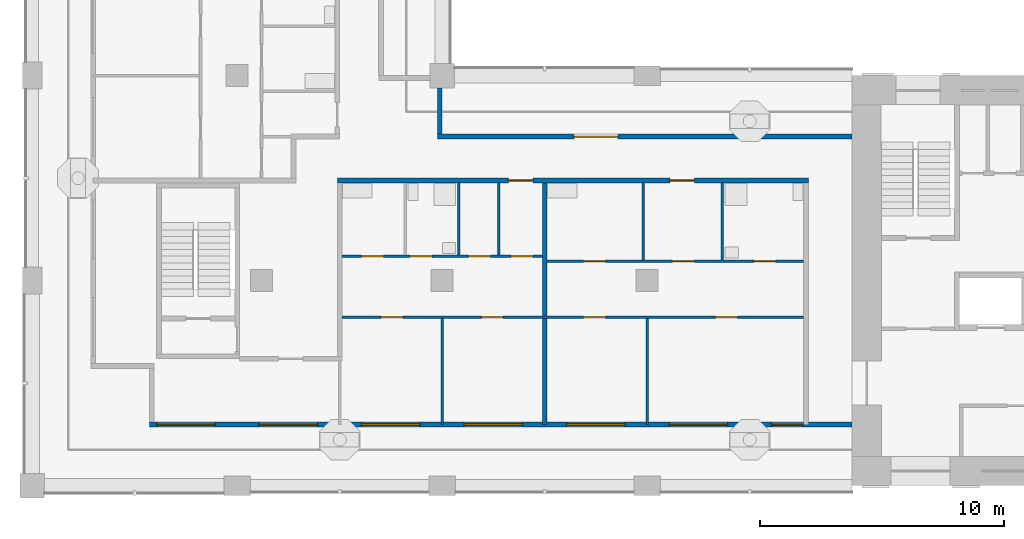
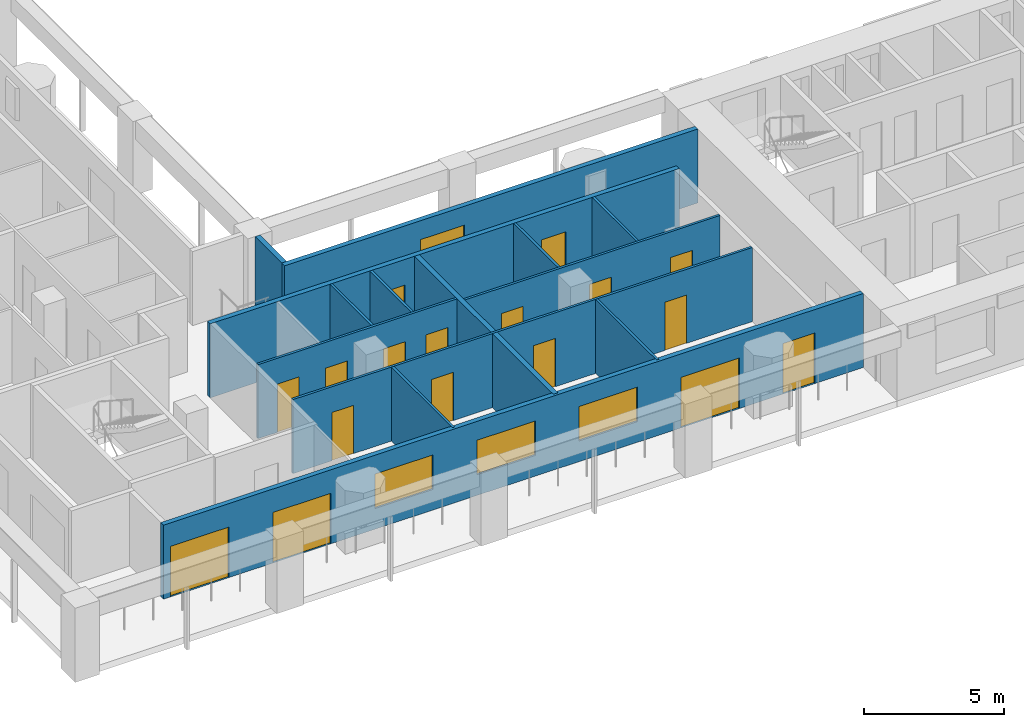
# One storey, part 2 of 12: 18 doors, 14 walls, 3 windows, 21 openings.
"""IFC4 building model written with IfcOpenShell, lengths in metres."""

from ifc_helpers import new_model, si_unit, direction, frame, frame_2d, origin, place, context, subcontext, project, spatial, rectangle, extrude, material, layer, layer_set, type_object, element, fill, save


model = new_model("IFC4")

# Units and contexts
model_context = context("Model", 3, precision=1e-05, world=origin(), true_north=direction((0.0, 1.0)))
body_context = subcontext(model_context, "Body", "Model", "MODEL_VIEW")
ifc_project = project(units=[si_unit("LENGTHUNIT", "METRE"), si_unit("AREAUNIT", "SQUARE_METRE"), si_unit("VOLUMEUNIT", "CUBIC_METRE"), si_unit("PLANEANGLEUNIT", "RADIAN"), si_unit("MASSUNIT", "GRAM", prefix="KILO")], contexts=[model_context])

# Site, building, storey
site_placement = place(None, origin())
site = spatial("IfcSite", under=ifc_project, at=site_placement, CompositionType="ELEMENT")
building_placement = place(site_placement, origin())
building = spatial("IfcBuilding", under=site, at=building_placement, Name="Vermilion Gate Residences", CompositionType="ELEMENT")
storey_placement = place(building_placement, frame((0.0, 0.0, 214.199951171875)))
storey = spatial("IfcBuildingStorey", under=building, at=storey_placement, Name="L55", CompositionType="ELEMENT", Elevation=214.199951171875)

# Wall, openings, doors, windows
ifc_material_1 = material(Name="Insulated steel stud wall with terracotta rainscreen", Category="masonry")
ifc_layer_1 = layer(ifc_material_1, 0.199951171875)
ifc_layer_set_1 = layer_set([ifc_layer_1], Name="EXTERNAL WALL 200 TERRACOTTA RAINSCREEN")
wall_type_1 = type_object("IfcWallType", Name="EXTERNAL WALL 200 TERRACOTTA RAINSCREEN", PredefinedType="SOLIDWALL", material=ifc_layer_set_1)
wall_1_placement = place(storey_placement, frame((13.199951171875, 10.89990234375, 0.0), z_axis=(0.0, 0.0, 1.0), x_axis=(1.0, 0.0, 0.0)))
wall_1 = element("IfcWall", 1, at=wall_1_placement, inside=storey, type_object=wall_type_1, Name="External wall", PredefinedType="SOLIDWALL", context=body_context, shape_type="SweptSolid", body=[
    extrude(rectangle(XDim=28.800048828125, YDim=0.199951171875, at=frame_2d((14.39990234375, 0.0))), origin(), (0.0, 0.0, 1.0), 3.219970703125),
])
opening_1_placement = place(wall_1_placement, frame((0.300048828125, 0.0, 0.0)))
opening_1 = element("IfcOpeningElement", 2, at=opening_1_placement, cuts=wall_1, Name="Opening DE55008", PredefinedType="OPENING", context=body_context, shape_type="SweptSolid", body=[
    extrude(rectangle(XDim=2.39990234375, YDim=2.199951171875, at=frame_2d((1.199951171875, 1.10009765625))), frame((0.0, 0.10986328125, 0.0), z_axis=(0.0, -1.0, 0.0), x_axis=(1.0, 0.0, 0.0)), (0.0, 0.0, 1.0), 0.219970703125),
])
opening_2_placement = place(wall_1_placement, frame((4.5, 0.0, 0.0)))
opening_2 = element("IfcOpeningElement", 3, at=opening_2_placement, cuts=wall_1, Name="Opening DE55009", PredefinedType="OPENING", context=body_context, shape_type="SweptSolid", body=[
    extrude(rectangle(XDim=2.39990234375, YDim=2.199951171875, at=frame_2d((1.199951171875, 1.10009765625))), frame((0.0, 0.10986328125, 0.0), z_axis=(0.0, -1.0, 0.0), x_axis=(1.0, 0.0, 0.0)), (0.0, 0.0, 1.0), 0.219970703125),
])
opening_3_placement = place(wall_1_placement, frame((8.699951171875, 0.0, 0.89990234375)))
opening_3 = element("IfcOpeningElement", 4, at=opening_3_placement, cuts=wall_1, Name="Opening WE55010", PredefinedType="OPENING", context=body_context, shape_type="SweptSolid", body=[
    extrude(rectangle(XDim=2.39990234375, YDim=1.5, at=frame_2d((1.199951171875, 0.75))), frame((0.0, 0.10986328125, 0.0), z_axis=(0.0, -1.0, 0.0), x_axis=(1.0, 0.0, 0.0)), (0.0, 0.0, 1.0), 0.219970703125),
])
opening_4_placement = place(wall_1_placement, frame((12.89990234375, 0.0, 0.89990234375)))
opening_4 = element("IfcOpeningElement", 5, at=opening_4_placement, cuts=wall_1, Name="Opening WE55011", PredefinedType="OPENING", context=body_context, shape_type="SweptSolid", body=[
    extrude(rectangle(XDim=2.39990234375, YDim=1.5, at=frame_2d((1.199951171875, 0.75))), frame((0.0, 0.10986328125, 0.0), z_axis=(0.0, -1.0, 0.0), x_axis=(1.0, 0.0, 0.0)), (0.0, 0.0, 1.0), 0.219970703125),
])
opening_5_placement = place(wall_1_placement, frame((17.10009765625, 0.0, 0.89990234375)))
opening_5 = element("IfcOpeningElement", 6, at=opening_5_placement, cuts=wall_1, Name="Opening WE55012", PredefinedType="OPENING", context=body_context, shape_type="SweptSolid", body=[
    extrude(rectangle(XDim=2.39990234375, YDim=1.5, at=frame_2d((1.199951171875, 0.75))), frame((0.0, 0.10986328125, 0.0), z_axis=(0.0, -1.0, 0.0), x_axis=(1.0, 0.0, 0.0)), (0.0, 0.0, 1.0), 0.219970703125),
])
opening_6_placement = place(wall_1_placement, frame((21.300048828125, 0.0, 0.0)))
opening_6 = element("IfcOpeningElement", 7, at=opening_6_placement, cuts=wall_1, Name="Opening DE55013", PredefinedType="OPENING", context=body_context, shape_type="SweptSolid", body=[
    extrude(rectangle(XDim=2.39990234375, YDim=2.199951171875, at=frame_2d((1.199951171875, 1.10009765625))), frame((0.0, 0.10986328125, 0.0), z_axis=(0.0, -1.0, 0.0), x_axis=(1.0, 0.0, 0.0)), (0.0, 0.0, 1.0), 0.219970703125),
])
opening_7_placement = place(wall_1_placement, frame((25.5, 0.0, 0.0)))
opening_7 = element("IfcOpeningElement", 8, at=opening_7_placement, cuts=wall_1, Name="Opening DE55014", PredefinedType="OPENING", context=body_context, shape_type="SweptSolid", body=[
    extrude(rectangle(XDim=1.300048828125, YDim=2.199951171875, at=frame_2d((0.64990234375, 1.10009765625))), frame((0.0, 0.10986328125, 0.0), z_axis=(0.0, -1.0, 0.0), x_axis=(1.0, 0.0, 0.0)), (0.0, 0.0, 1.0), 0.219970703125),
])
ifc_material_2 = material(Name="Aluminium and clear glass", Category="aluminium")
door_type_1 = type_object("IfcDoorType", Name="SLIDING GLAZED DOOR 1300 X 2200", OperationType="DOUBLE_DOOR_SLIDING", PredefinedType="DOOR", material=ifc_material_2)
door_1_placement = place(opening_7_placement, origin())
door_1 = element("IfcDoor", 9, at=door_1_placement, inside=storey, type_object=door_type_1, Name="Loggia sliding door", OperationType="DOUBLE_DOOR_SLIDING", OverallHeight=2.199951171875, OverallWidth=1.300048828125, PredefinedType="DOOR", context=body_context, shape_type="SweptSolid", body=[
    extrude(rectangle(XDim=1.300048828125, YDim=2.199951171875, at=frame_2d((0.64990234375, 1.10009765625))), frame((0.0, 0.02490234375, 0.0), z_axis=(0.0, -1.0, 0.0), x_axis=(1.0, 0.0, 0.0)), (0.0, 0.0, 1.0), 0.050048828125),
])
fill(opening_7, door_1)
ifc_material_3 = material(Name="Aluminium and clear glass", Category="aluminium")
door_type_2 = type_object("IfcDoorType", Name="SLIDING GLAZED DOOR 2400 X 2200", OperationType="DOUBLE_DOOR_SLIDING", PredefinedType="DOOR", material=ifc_material_3)
door_2_placement = place(opening_1_placement, origin())
door_2 = element("IfcDoor", 10, at=door_2_placement, inside=storey, type_object=door_type_2, Name="Loggia sliding door", OperationType="DOUBLE_DOOR_SLIDING", OverallHeight=2.199951171875, OverallWidth=2.39990234375, PredefinedType="DOOR", context=body_context, shape_type="SweptSolid", body=[
    extrude(rectangle(XDim=2.39990234375, YDim=2.199951171875, at=frame_2d((1.199951171875, 1.10009765625))), frame((0.0, 0.02490234375, 0.0), z_axis=(0.0, -1.0, 0.0), x_axis=(1.0, 0.0, 0.0)), (0.0, 0.0, 1.0), 0.050048828125),
])
fill(opening_1, door_2)
door_3_placement = place(opening_2_placement, origin())
door_3 = element("IfcDoor", 11, at=door_3_placement, inside=storey, type_object=door_type_2, Name="Loggia sliding door", OperationType="DOUBLE_DOOR_SLIDING", OverallHeight=2.199951171875, OverallWidth=2.39990234375, PredefinedType="DOOR", context=body_context, shape_type="SweptSolid", body=[
    extrude(rectangle(XDim=2.39990234375, YDim=2.199951171875, at=frame_2d((1.199951171875, 1.10009765625))), frame((0.0, 0.02490234375, 0.0), z_axis=(0.0, -1.0, 0.0), x_axis=(1.0, 0.0, 0.0)), (0.0, 0.0, 1.0), 0.050048828125),
])
fill(opening_2, door_3)
door_4_placement = place(opening_6_placement, origin())
door_4 = element("IfcDoor", 12, at=door_4_placement, inside=storey, type_object=door_type_2, Name="Loggia sliding door", OperationType="DOUBLE_DOOR_SLIDING", OverallHeight=2.199951171875, OverallWidth=2.39990234375, PredefinedType="DOOR", context=body_context, shape_type="SweptSolid", body=[
    extrude(rectangle(XDim=2.39990234375, YDim=2.199951171875, at=frame_2d((1.199951171875, 1.10009765625))), frame((0.0, 0.02490234375, 0.0), z_axis=(0.0, -1.0, 0.0), x_axis=(1.0, 0.0, 0.0)), (0.0, 0.0, 1.0), 0.050048828125),
])
fill(opening_6, door_4)
ifc_material_4 = material(Name="Aluminium and clear glass", Category="aluminium")
window_type = type_object("IfcWindowType", Name="WINDOW 2400 X 1500", PartitioningType="SINGLE_PANEL", PredefinedType="WINDOW", material=ifc_material_4)
window_1_placement = place(opening_3_placement, origin())
window_1 = element("IfcWindow", 13, at=window_1_placement, inside=storey, type_object=window_type, Name="Window", OverallHeight=1.5, OverallWidth=2.39990234375, PartitioningType="SINGLE_PANEL", PredefinedType="WINDOW", context=body_context, shape_type="SweptSolid", body=[
    extrude(rectangle(XDim=2.39990234375, YDim=1.5, at=frame_2d((1.199951171875, 0.75))), frame((0.0, 0.030029296875, 0.0), z_axis=(0.0, -1.0, 0.0), x_axis=(1.0, 0.0, 0.0)), (0.0, 0.0, 1.0), 0.06005859375),
])
fill(opening_3, window_1)
window_2_placement = place(opening_4_placement, origin())
window_2 = element("IfcWindow", 14, at=window_2_placement, inside=storey, type_object=window_type, Name="Window", OverallHeight=1.5, OverallWidth=2.39990234375, PartitioningType="SINGLE_PANEL", PredefinedType="WINDOW", context=body_context, shape_type="SweptSolid", body=[
    extrude(rectangle(XDim=2.39990234375, YDim=1.5, at=frame_2d((1.199951171875, 0.75))), frame((0.0, 0.030029296875, 0.0), z_axis=(0.0, -1.0, 0.0), x_axis=(1.0, 0.0, 0.0)), (0.0, 0.0, 1.0), 0.06005859375),
])
fill(opening_4, window_2)
window_3_placement = place(opening_5_placement, origin())
window_3 = element("IfcWindow", 15, at=window_3_placement, inside=storey, type_object=window_type, Name="Window", OverallHeight=1.5, OverallWidth=2.39990234375, PartitioningType="SINGLE_PANEL", PredefinedType="WINDOW", context=body_context, shape_type="SweptSolid", body=[
    extrude(rectangle(XDim=2.39990234375, YDim=1.5, at=frame_2d((1.199951171875, 0.75))), frame((0.0, 0.030029296875, 0.0), z_axis=(0.0, -1.0, 0.0), x_axis=(1.0, 0.0, 0.0)), (0.0, 0.0, 1.0), 0.06005859375),
])
fill(opening_5, window_3)

# Wall, opening, door
wall_2_placement = place(storey_placement, frame((42.0, 22.699951171875, 0.0), z_axis=(0.0, 0.0, 1.0), x_axis=(-1.0, 0.0, 0.0)))
wall_2 = element("IfcWall", 16, at=wall_2_placement, inside=storey, type_object=wall_type_1, Name="External wall", PredefinedType="SOLIDWALL", context=body_context, shape_type="SweptSolid", body=[
    extrude(rectangle(XDim=17.0, YDim=0.199951171875, at=frame_2d((8.5, 0.0))), origin(), (0.0, 0.0, 1.0), 3.219970703125),
])
opening_8_placement = place(wall_2_placement, frame((9.60009765625, 0.0, 0.0)))
opening_8 = element("IfcOpeningElement", 17, at=opening_8_placement, cuts=wall_2, Name="Opening DE55015", PredefinedType="OPENING", context=body_context, shape_type="SweptSolid", body=[
    extrude(rectangle(XDim=1.800048828125, YDim=2.39990234375, at=frame_2d((0.89990234375, 1.199951171875))), frame((0.0, 0.10986328125, 0.0), z_axis=(0.0, -1.0, 0.0), x_axis=(1.0, 0.0, 0.0)), (0.0, 0.0, 1.0), 0.219970703125),
])
ifc_material_5 = material(Name="Aluminium and clear glass", Category="aluminium")
door_type_3 = type_object("IfcDoorType", Name="GLAZED EXTERNAL DOOR 1800 X 2400", OperationType="DOUBLE_DOOR_SINGLE_SWING", PredefinedType="DOOR", material=ifc_material_5)
door_5_placement = place(opening_8_placement, frame((1.800048828125, 0.0, 0.0), z_axis=(0.0, 0.0, 1.0), x_axis=(-1.0, 0.0, 0.0)))
door_5 = element("IfcDoor", 18, at=door_5_placement, inside=storey, type_object=door_type_3, Name="Gallery door", OperationType="DOUBLE_DOOR_SINGLE_SWING", OverallHeight=2.39990234375, OverallWidth=1.800048828125, PredefinedType="DOOR", context=body_context, shape_type="SweptSolid", body=[
    extrude(rectangle(XDim=1.800048828125, YDim=2.39990234375, at=frame_2d((0.89990234375, 1.199951171875))), frame((0.0, 0.02490234375, 0.0), z_axis=(0.0, -1.0, 0.0), x_axis=(1.0, 0.0, 0.0)), (0.0, 0.0, 1.0), 0.050048828125),
])
fill(opening_8, door_5)

# Wall
wall_3_placement = place(storey_placement, frame((25.10009765625, 22.800048828125, 0.0), z_axis=(0.0, 0.0, 1.0), x_axis=(0.0, 1.0, 0.0)))
element("IfcWall", 19, at=wall_3_placement, inside=storey, type_object=wall_type_1, Name="External wall", PredefinedType="SOLIDWALL", context=body_context, shape_type="SweptSolid", body=[
    extrude(rectangle(XDim=1.89990234375, YDim=0.199951171875, at=frame_2d((0.949951171875, 0.0))), origin(), (0.0, 0.0, 1.0), 3.219970703125),
])

# Wall, openings, doors
ifc_material_6 = material(Name="Plasterboard on steel studs", Category="steel")
ifc_layer_2 = layer(ifc_material_6, 0.10009765625)
ifc_layer_set_2 = layer_set([ifc_layer_2], Name="PARTITION 100")
wall_type_2 = type_object("IfcWallType", Name="PARTITION 100", PredefinedType="PARTITIONING", material=ifc_layer_set_2)
wall_4_placement = place(storey_placement, frame((21.10009765625, 15.300048828125, 0.0), z_axis=(0.0, 0.0, 1.0), x_axis=(1.0, 0.0, 0.0)))
wall_4 = element("IfcWall", 20, at=wall_4_placement, inside=storey, type_object=wall_type_2, Name="Partition", PredefinedType="PARTITIONING", context=body_context, shape_type="SweptSolid", body=[
    extrude(rectangle(XDim=18.89990234375, YDim=0.10009765625, at=frame_2d((9.449951171875, 0.0))), origin(), (0.0, 0.0, 1.0), 3.219970703125),
])
opening_9_placement = place(wall_4_placement, frame((1.60009765625, 0.0, 0.0)))
opening_9 = element("IfcOpeningElement", 21, at=opening_9_placement, cuts=wall_4, Name="Opening DA55002", PredefinedType="OPENING", context=body_context, shape_type="SweptSolid", body=[
    extrude(rectangle(XDim=0.89990234375, YDim=2.10009765625, at=frame_2d((0.449951171875, 1.050048828125))), frame((0.0, 0.06005859375, 0.0), z_axis=(0.0, -1.0, 0.0), x_axis=(1.0, 0.0, 0.0)), (0.0, 0.0, 1.0), 0.1201171875),
])
opening_10_placement = place(wall_4_placement, frame((5.699951171875, 0.0, 0.0)))
opening_10 = element("IfcOpeningElement", 22, at=opening_10_placement, cuts=wall_4, Name="Opening DA55003", PredefinedType="OPENING", context=body_context, shape_type="SweptSolid", body=[
    extrude(rectangle(XDim=0.89990234375, YDim=2.10009765625, at=frame_2d((0.449951171875, 1.050048828125))), frame((0.0, 0.06005859375, 0.0), z_axis=(0.0, -1.0, 0.0), x_axis=(1.0, 0.0, 0.0)), (0.0, 0.0, 1.0), 0.1201171875),
])
opening_11_placement = place(wall_4_placement, frame((9.89990234375, 0.0, 0.0)))
opening_11 = element("IfcOpeningElement", 23, at=opening_11_placement, cuts=wall_4, Name="Opening DA55004", PredefinedType="OPENING", context=body_context, shape_type="SweptSolid", body=[
    extrude(rectangle(XDim=0.89990234375, YDim=2.10009765625, at=frame_2d((0.449951171875, 1.050048828125))), frame((0.0, 0.06005859375, 0.0), z_axis=(0.0, -1.0, 0.0), x_axis=(1.0, 0.0, 0.0)), (0.0, 0.0, 1.0), 0.1201171875),
])
opening_12_placement = place(wall_4_placement, frame((15.300048828125, 0.0, 0.0)))
opening_12 = element("IfcOpeningElement", 24, at=opening_12_placement, cuts=wall_4, Name="Opening DA55005", PredefinedType="OPENING", context=body_context, shape_type="SweptSolid", body=[
    extrude(rectangle(XDim=0.89990234375, YDim=2.10009765625, at=frame_2d((0.449951171875, 1.050048828125))), frame((0.0, 0.06005859375, 0.0), z_axis=(0.0, -1.0, 0.0), x_axis=(1.0, 0.0, 0.0)), (0.0, 0.0, 1.0), 0.1201171875),
])
ifc_material_7 = material(Name="Timber", Category="wood")
door_type_4 = type_object("IfcDoorType", Name="INTERIOR DOOR 900 X 2100", OperationType="SINGLE_SWING_LEFT", PredefinedType="DOOR", material=ifc_material_7)
door_6_placement = place(opening_9_placement, frame((0.89990234375, 0.0, 0.0), z_axis=(0.0, 0.0, 1.0), x_axis=(-1.0, 0.0, 0.0)))
door_6 = element("IfcDoor", 25, at=door_6_placement, inside=storey, type_object=door_type_4, Name="Interior door", OperationType="SINGLE_SWING_LEFT", OverallHeight=2.10009765625, OverallWidth=0.89990234375, PredefinedType="DOOR", context=body_context, shape_type="SweptSolid", body=[
    extrude(rectangle(XDim=0.89990234375, YDim=2.10009765625, at=frame_2d((0.449951171875, 1.050048828125))), frame((0.0, 0.02490234375, 0.0), z_axis=(0.0, -1.0, 0.0), x_axis=(1.0, 0.0, 0.0)), (0.0, 0.0, 1.0), 0.050048828125),
])
fill(opening_9, door_6)
door_7_placement = place(opening_10_placement, frame((0.89990234375, 0.0, 0.0), z_axis=(0.0, 0.0, 1.0), x_axis=(-1.0, 0.0, 0.0)))
door_7 = element("IfcDoor", 26, at=door_7_placement, inside=storey, type_object=door_type_4, Name="Interior door", OperationType="SINGLE_SWING_RIGHT", OverallHeight=2.10009765625, OverallWidth=0.89990234375, PredefinedType="DOOR", context=body_context, shape_type="SweptSolid", body=[
    extrude(rectangle(XDim=0.89990234375, YDim=2.10009765625, at=frame_2d((0.449951171875, 1.050048828125))), frame((0.0, 0.02490234375, 0.0), z_axis=(0.0, -1.0, 0.0), x_axis=(1.0, 0.0, 0.0)), (0.0, 0.0, 1.0), 0.050048828125),
])
fill(opening_10, door_7)
door_8_placement = place(opening_11_placement, frame((0.89990234375, 0.0, 0.0), z_axis=(0.0, 0.0, 1.0), x_axis=(-1.0, 0.0, 0.0)))
door_8 = element("IfcDoor", 27, at=door_8_placement, inside=storey, type_object=door_type_4, Name="Interior door", OperationType="SINGLE_SWING_RIGHT", OverallHeight=2.10009765625, OverallWidth=0.89990234375, PredefinedType="DOOR", context=body_context, shape_type="SweptSolid", body=[
    extrude(rectangle(XDim=0.89990234375, YDim=2.10009765625, at=frame_2d((0.449951171875, 1.050048828125))), frame((0.0, 0.02490234375, 0.0), z_axis=(0.0, -1.0, 0.0), x_axis=(1.0, 0.0, 0.0)), (0.0, 0.0, 1.0), 0.050048828125),
])
fill(opening_11, door_8)
door_9_placement = place(opening_12_placement, frame((0.89990234375, 0.0, 0.0), z_axis=(0.0, 0.0, 1.0), x_axis=(-1.0, 0.0, 0.0)))
door_9 = element("IfcDoor", 28, at=door_9_placement, inside=storey, type_object=door_type_4, Name="Interior door", OperationType="SINGLE_SWING_LEFT", OverallHeight=2.10009765625, OverallWidth=0.89990234375, PredefinedType="DOOR", context=body_context, shape_type="SweptSolid", body=[
    extrude(rectangle(XDim=0.89990234375, YDim=2.10009765625, at=frame_2d((0.449951171875, 1.050048828125))), frame((0.0, 0.02490234375, 0.0), z_axis=(0.0, -1.0, 0.0), x_axis=(1.0, 0.0, 0.0)), (0.0, 0.0, 1.0), 0.050048828125),
])
fill(opening_12, door_9)

wall_5_placement = place(storey_placement, frame((29.5, 17.60009765625, 0.0), z_axis=(0.0, 0.0, 1.0), x_axis=(1.0, 0.0, 0.0)))
wall_5 = element("IfcWall", 29, at=wall_5_placement, inside=storey, type_object=wall_type_2, Name="Partition", PredefinedType="PARTITIONING", context=body_context, shape_type="SweptSolid", body=[
    extrude(rectangle(XDim=10.5, YDim=0.10009765625, at=frame_2d((5.25, 0.0))), origin(), (0.0, 0.0, 1.0), 3.219970703125),
])
opening_13_placement = place(wall_5_placement, frame((5.133056640625, 0.0, 0.0)))
opening_13 = element("IfcOpeningElement", 30, at=opening_13_placement, cuts=wall_5, Name="Opening DA55006", PredefinedType="OPENING", context=body_context, shape_type="SweptSolid", body=[
    extrude(rectangle(XDim=0.89990234375, YDim=2.10009765625, at=frame_2d((0.449951171875, 1.050048828125))), frame((0.0, 0.06005859375, 0.0), z_axis=(0.0, -1.0, 0.0), x_axis=(1.0, 0.0, 0.0)), (0.0, 0.0, 1.0), 0.1201171875),
])
opening_14_placement = place(wall_5_placement, frame((1.5, 0.0, 0.0)))
opening_14 = element("IfcOpeningElement", 31, at=opening_14_placement, cuts=wall_5, Name="Opening DA55007", PredefinedType="OPENING", context=body_context, shape_type="SweptSolid", body=[
    extrude(rectangle(XDim=0.89990234375, YDim=2.10009765625, at=frame_2d((0.449951171875, 1.050048828125))), frame((0.0, 0.06005859375, 0.0), z_axis=(0.0, -1.0, 0.0), x_axis=(1.0, 0.0, 0.0)), (0.0, 0.0, 1.0), 0.1201171875),
])
opening_15_placement = place(wall_5_placement, frame((8.467041015625, 0.0, 0.0)))
opening_15 = element("IfcOpeningElement", 32, at=opening_15_placement, cuts=wall_5, Name="Opening DA55008", PredefinedType="OPENING", context=body_context, shape_type="SweptSolid", body=[
    extrude(rectangle(XDim=0.89990234375, YDim=2.10009765625, at=frame_2d((0.449951171875, 1.050048828125))), frame((0.0, 0.06005859375, 0.0), z_axis=(0.0, -1.0, 0.0), x_axis=(1.0, 0.0, 0.0)), (0.0, 0.0, 1.0), 0.1201171875),
])
door_10_placement = place(opening_13_placement, origin())
door_10 = element("IfcDoor", 33, at=door_10_placement, inside=storey, type_object=door_type_4, Name="Interior door", OperationType="SINGLE_SWING_RIGHT", OverallHeight=2.10009765625, OverallWidth=0.89990234375, PredefinedType="DOOR", context=body_context, shape_type="SweptSolid", body=[
    extrude(rectangle(XDim=0.89990234375, YDim=2.10009765625, at=frame_2d((0.449951171875, 1.050048828125))), frame((0.0, 0.02490234375, 0.0), z_axis=(0.0, -1.0, 0.0), x_axis=(1.0, 0.0, 0.0)), (0.0, 0.0, 1.0), 0.050048828125),
])
fill(opening_13, door_10)
door_11_placement = place(opening_14_placement, origin())
door_11 = element("IfcDoor", 34, at=door_11_placement, inside=storey, type_object=door_type_4, Name="Interior door", OperationType="SINGLE_SWING_RIGHT", OverallHeight=2.10009765625, OverallWidth=0.89990234375, PredefinedType="DOOR", context=body_context, shape_type="SweptSolid", body=[
    extrude(rectangle(XDim=0.89990234375, YDim=2.10009765625, at=frame_2d((0.449951171875, 1.050048828125))), frame((0.0, 0.02490234375, 0.0), z_axis=(0.0, -1.0, 0.0), x_axis=(1.0, 0.0, 0.0)), (0.0, 0.0, 1.0), 0.050048828125),
])
fill(opening_14, door_11)
door_12_placement = place(opening_15_placement, origin())
door_12 = element("IfcDoor", 35, at=door_12_placement, inside=storey, type_object=door_type_4, Name="Interior door", OperationType="SINGLE_SWING_LEFT", OverallHeight=2.10009765625, OverallWidth=0.89990234375, PredefinedType="DOOR", context=body_context, shape_type="SweptSolid", body=[
    extrude(rectangle(XDim=0.89990234375, YDim=2.10009765625, at=frame_2d((0.449951171875, 1.050048828125))), frame((0.0, 0.02490234375, 0.0), z_axis=(0.0, -1.0, 0.0), x_axis=(1.0, 0.0, 0.0)), (0.0, 0.0, 1.0), 0.050048828125),
])
fill(opening_15, door_12)

wall_6_placement = place(storey_placement, frame((21.10009765625, 17.800048828125, 0.0), z_axis=(0.0, 0.0, 1.0), x_axis=(1.0, 0.0, 0.0)))
wall_6 = element("IfcWall", 36, at=wall_6_placement, inside=storey, type_object=wall_type_2, Name="Partition", PredefinedType="PARTITIONING", context=body_context, shape_type="SweptSolid", body=[
    extrude(rectangle(XDim=8.199951171875, YDim=0.10009765625, at=frame_2d((4.10009765625, 0.0))), origin(), (0.0, 0.0, 1.0), 3.219970703125),
])
opening_16_placement = place(wall_6_placement, frame((6.916015625, 0.0, 0.0)))
opening_16 = element("IfcOpeningElement", 37, at=opening_16_placement, cuts=wall_6, Name="Opening DA55009", PredefinedType="OPENING", context=body_context, shape_type="SweptSolid", body=[
    extrude(rectangle(XDim=0.89990234375, YDim=2.10009765625, at=frame_2d((0.449951171875, 1.050048828125))), frame((0.0, 0.06005859375, 0.0), z_axis=(0.0, -1.0, 0.0), x_axis=(1.0, 0.0, 0.0)), (0.0, 0.0, 1.0), 0.1201171875),
])
opening_17_placement = place(wall_6_placement, frame((0.800048828125, 0.0, 0.0)))
opening_17 = element("IfcOpeningElement", 38, at=opening_17_placement, cuts=wall_6, Name="Opening DA55010", PredefinedType="OPENING", context=body_context, shape_type="SweptSolid", body=[
    extrude(rectangle(XDim=0.89990234375, YDim=2.10009765625, at=frame_2d((0.449951171875, 1.050048828125))), frame((0.0, 0.06005859375, 0.0), z_axis=(0.0, -1.0, 0.0), x_axis=(1.0, 0.0, 0.0)), (0.0, 0.0, 1.0), 0.1201171875),
])
opening_18_placement = place(wall_6_placement, frame((2.783935546875, 0.0, 0.0)))
opening_18 = element("IfcOpeningElement", 39, at=opening_18_placement, cuts=wall_6, Name="Opening DA55011", PredefinedType="OPENING", context=body_context, shape_type="SweptSolid", body=[
    extrude(rectangle(XDim=0.89990234375, YDim=2.10009765625, at=frame_2d((0.449951171875, 1.050048828125))), frame((0.0, 0.06005859375, 0.0), z_axis=(0.0, -1.0, 0.0), x_axis=(1.0, 0.0, 0.0)), (0.0, 0.0, 1.0), 0.1201171875),
])
opening_19_placement = place(wall_6_placement, frame((5.174072265625, 0.0, 0.0)))
opening_19 = element("IfcOpeningElement", 40, at=opening_19_placement, cuts=wall_6, Name="Opening DA55012", PredefinedType="OPENING", context=body_context, shape_type="SweptSolid", body=[
    extrude(rectangle(XDim=0.89990234375, YDim=2.10009765625, at=frame_2d((0.449951171875, 1.050048828125))), frame((0.0, 0.06005859375, 0.0), z_axis=(0.0, -1.0, 0.0), x_axis=(1.0, 0.0, 0.0)), (0.0, 0.0, 1.0), 0.1201171875),
])
door_13_placement = place(opening_16_placement, origin())
door_13 = element("IfcDoor", 41, at=door_13_placement, inside=storey, type_object=door_type_4, Name="Interior door", OperationType="SINGLE_SWING_RIGHT", OverallHeight=2.10009765625, OverallWidth=0.89990234375, PredefinedType="DOOR", context=body_context, shape_type="SweptSolid", body=[
    extrude(rectangle(XDim=0.89990234375, YDim=2.10009765625, at=frame_2d((0.449951171875, 1.050048828125))), frame((0.0, 0.02490234375, 0.0), z_axis=(0.0, -1.0, 0.0), x_axis=(1.0, 0.0, 0.0)), (0.0, 0.0, 1.0), 0.050048828125),
])
fill(opening_16, door_13)
door_14_placement = place(opening_17_placement, origin())
door_14 = element("IfcDoor", 42, at=door_14_placement, inside=storey, type_object=door_type_4, Name="Interior door", OperationType="SINGLE_SWING_LEFT", OverallHeight=2.10009765625, OverallWidth=0.89990234375, PredefinedType="DOOR", context=body_context, shape_type="SweptSolid", body=[
    extrude(rectangle(XDim=0.89990234375, YDim=2.10009765625, at=frame_2d((0.449951171875, 1.050048828125))), frame((0.0, 0.02490234375, 0.0), z_axis=(0.0, -1.0, 0.0), x_axis=(1.0, 0.0, 0.0)), (0.0, 0.0, 1.0), 0.050048828125),
])
fill(opening_17, door_14)
door_15_placement = place(opening_18_placement, origin())
door_15 = element("IfcDoor", 43, at=door_15_placement, inside=storey, type_object=door_type_4, Name="Interior door", OperationType="SINGLE_SWING_LEFT", OverallHeight=2.10009765625, OverallWidth=0.89990234375, PredefinedType="DOOR", context=body_context, shape_type="SweptSolid", body=[
    extrude(rectangle(XDim=0.89990234375, YDim=2.10009765625, at=frame_2d((0.449951171875, 1.050048828125))), frame((0.0, 0.02490234375, 0.0), z_axis=(0.0, -1.0, 0.0), x_axis=(1.0, 0.0, 0.0)), (0.0, 0.0, 1.0), 0.050048828125),
])
fill(opening_18, door_15)
door_16_placement = place(opening_19_placement, origin())
door_16 = element("IfcDoor", 44, at=door_16_placement, inside=storey, type_object=door_type_4, Name="Interior door", OperationType="SINGLE_SWING_RIGHT", OverallHeight=2.10009765625, OverallWidth=0.89990234375, PredefinedType="DOOR", context=body_context, shape_type="SweptSolid", body=[
    extrude(rectangle(XDim=0.89990234375, YDim=2.10009765625, at=frame_2d((0.449951171875, 1.050048828125))), frame((0.0, 0.02490234375, 0.0), z_axis=(0.0, -1.0, 0.0), x_axis=(1.0, 0.0, 0.0)), (0.0, 0.0, 1.0), 0.050048828125),
])
fill(opening_19, door_16)

# Walls
wall_7_placement = place(storey_placement, frame((25.199951171875, 10.89990234375, 0.0), z_axis=(0.0, 0.0, 1.0), x_axis=(0.0, 1.0, 0.0)))
element("IfcWall", 45, at=wall_7_placement, inside=storey, type_object=wall_type_2, Name="Partition", PredefinedType="PARTITIONING", context=body_context, shape_type="SweptSolid", body=[
    extrude(rectangle(XDim=4.35009765625, YDim=0.10009765625, at=frame_2d((2.175048828125, 0.0))), origin(), (0.0, 0.0, 1.0), 3.219970703125),
])
for number, where, z_axis, x_axis, name in (
    (46, (25.8740234375, 17.85009765625, 0.0), (0.0, 0.0, 1.0), (0.0, 1.0, 0.0), "Partition"),
    (47, (27.51611328125, 17.85009765625, 0.0), (0.0, 0.0, 1.0), (0.0, 1.0, 0.0), "Partition"),
):
    element("IfcWall", number, at=place(storey_placement, frame(where, z_axis=z_axis, x_axis=x_axis)), inside=storey, type_object=wall_type_2, Name=name, PredefinedType="PARTITIONING", context=body_context, shape_type="SweptSolid", body=[
        extrude(rectangle(XDim=2.949951171875, YDim=0.10009765625, at=frame_2d((1.47509765625, 0.0))), origin(), (0.0, 0.0, 1.0), 3.219970703125),
    ])
wall_8_placement = place(storey_placement, frame((33.43310546875, 17.64990234375, 0.0), z_axis=(0.0, 0.0, 1.0), x_axis=(0.0, 1.0, 0.0)))
element("IfcWall", 48, at=wall_8_placement, inside=storey, type_object=wall_type_2, Name="Partition", PredefinedType="PARTITIONING", context=body_context, shape_type="SweptSolid", body=[
    extrude(rectangle(XDim=3.150146484375, YDim=0.10009765625, at=frame_2d((1.5751953125, 0.0))), origin(), (0.0, 0.0, 1.0), 3.219970703125),
])
wall_9_placement = place(storey_placement, frame((33.60009765625, 10.89990234375, 0.0), z_axis=(0.0, 0.0, 1.0), x_axis=(0.0, 1.0, 0.0)))
element("IfcWall", 49, at=wall_9_placement, inside=storey, type_object=wall_type_2, Name="Partition", PredefinedType="PARTITIONING", context=body_context, shape_type="SweptSolid", body=[
    extrude(rectangle(XDim=4.35009765625, YDim=0.10009765625, at=frame_2d((2.175048828125, 0.0))), origin(), (0.0, 0.0, 1.0), 3.219970703125),
])
wall_10_placement = place(storey_placement, frame((36.6669921875, 17.64990234375, 0.0), z_axis=(0.0, 0.0, 1.0), x_axis=(0.0, 1.0, 0.0)))
element("IfcWall", 50, at=wall_10_placement, inside=storey, type_object=wall_type_2, Name="Partition", PredefinedType="PARTITIONING", context=body_context, shape_type="SweptSolid", body=[
    extrude(rectangle(XDim=3.150146484375, YDim=0.10009765625, at=frame_2d((1.5751953125, 0.0))), origin(), (0.0, 0.0, 1.0), 3.219970703125),
])

# Wall, openings, doors
ifc_material_8 = material(Name="Fire-rated plasterboard on steel studs", Category="steel")
ifc_layer_3 = layer(ifc_material_8, 0.199951171875)
ifc_layer_set_3 = layer_set([ifc_layer_3], Name="PARTY WALL 200 EI 120")
wall_type_3 = type_object("IfcWallType", Name="PARTY WALL 200 EI 120", PredefinedType="PARTITIONING", material=ifc_layer_set_3)
wall_11_placement = place(storey_placement, frame((20.89990234375, 20.89990234375, 0.0), z_axis=(0.0, 0.0, 1.0), x_axis=(1.0, 0.0, 0.0)))
wall_11 = element("IfcWall", 51, at=wall_11_placement, inside=storey, type_object=wall_type_3, Name="Party and corridor wall", PredefinedType="PARTITIONING", context=body_context, shape_type="SweptSolid", body=[
    extrude(rectangle(XDim=19.300048828125, YDim=0.199951171875, at=frame_2d((9.64990234375, 0.0))), origin(), (0.0, 0.0, 1.0), 3.219970703125),
])
opening_20_placement = place(wall_11_placement, frame((7.01611328125, 0.0, 0.0)))
opening_20 = element("IfcOpeningElement", 52, at=opening_20_placement, cuts=wall_11, Name="Opening DA55013", PredefinedType="OPENING", context=body_context, shape_type="SweptSolid", body=[
    extrude(rectangle(XDim=1.0, YDim=2.10009765625, at=frame_2d((0.5, 1.050048828125))), frame((0.0, 0.10986328125, 0.0), z_axis=(0.0, -1.0, 0.0), x_axis=(1.0, 0.0, 0.0)), (0.0, 0.0, 1.0), 0.219970703125),
])
opening_21_placement = place(wall_11_placement, frame((13.633056640625, 0.0, 0.0)))
opening_21 = element("IfcOpeningElement", 53, at=opening_21_placement, cuts=wall_11, Name="Opening DA55014", PredefinedType="OPENING", context=body_context, shape_type="SweptSolid", body=[
    extrude(rectangle(XDim=1.0, YDim=2.10009765625, at=frame_2d((0.5, 1.050048828125))), frame((0.0, 0.10986328125, 0.0), z_axis=(0.0, -1.0, 0.0), x_axis=(1.0, 0.0, 0.0)), (0.0, 0.0, 1.0), 0.219970703125),
])
ifc_material_9 = material(Name="Steel", Category="steel")
door_type_5 = type_object("IfcDoorType", Name="ENTRANCE DOOR 1000 X 2100 FD30", OperationType="SINGLE_SWING_LEFT", PredefinedType="DOOR", material=ifc_material_9)
door_17_placement = place(opening_20_placement, frame((1.0, 0.0, 0.0), z_axis=(0.0, 0.0, 1.0), x_axis=(-1.0, 0.0, 0.0)))
door_17 = element("IfcDoor", 54, at=door_17_placement, inside=storey, type_object=door_type_5, Name="Entrance door", OperationType="SINGLE_SWING_RIGHT", OverallHeight=2.10009765625, OverallWidth=1.0, PredefinedType="DOOR", context=body_context, shape_type="SweptSolid", body=[
    extrude(rectangle(XDim=1.0, YDim=2.10009765625, at=frame_2d((0.5, 1.050048828125))), frame((0.0, 0.02490234375, 0.0), z_axis=(0.0, -1.0, 0.0), x_axis=(1.0, 0.0, 0.0)), (0.0, 0.0, 1.0), 0.050048828125),
])
fill(opening_20, door_17)
door_18_placement = place(opening_21_placement, frame((1.0, 0.0, 0.0), z_axis=(0.0, 0.0, 1.0), x_axis=(-1.0, 0.0, 0.0)))
door_18 = element("IfcDoor", 55, at=door_18_placement, inside=storey, type_object=door_type_5, Name="Entrance door", OperationType="SINGLE_SWING_RIGHT", OverallHeight=2.10009765625, OverallWidth=1.0, PredefinedType="DOOR", context=body_context, shape_type="SweptSolid", body=[
    extrude(rectangle(XDim=1.0, YDim=2.10009765625, at=frame_2d((0.5, 1.050048828125))), frame((0.0, 0.02490234375, 0.0), z_axis=(0.0, -1.0, 0.0), x_axis=(1.0, 0.0, 0.0)), (0.0, 0.0, 1.0), 0.050048828125),
])
fill(opening_21, door_18)

# Wall
wall_12_placement = place(storey_placement, frame((29.39990234375, 10.89990234375, 0.0), z_axis=(0.0, 0.0, 1.0), x_axis=(0.0, 1.0, 0.0)))
element("IfcWall", 56, at=wall_12_placement, inside=storey, type_object=wall_type_3, Name="Party and corridor wall", PredefinedType="PARTITIONING", context=body_context, shape_type="SweptSolid", body=[
    extrude(rectangle(XDim=9.900146484375, YDim=0.199951171875, at=frame_2d((4.9501953125, 0.0))), origin(), (0.0, 0.0, 1.0), 3.219970703125),
])

save(model, "model.ifc")
